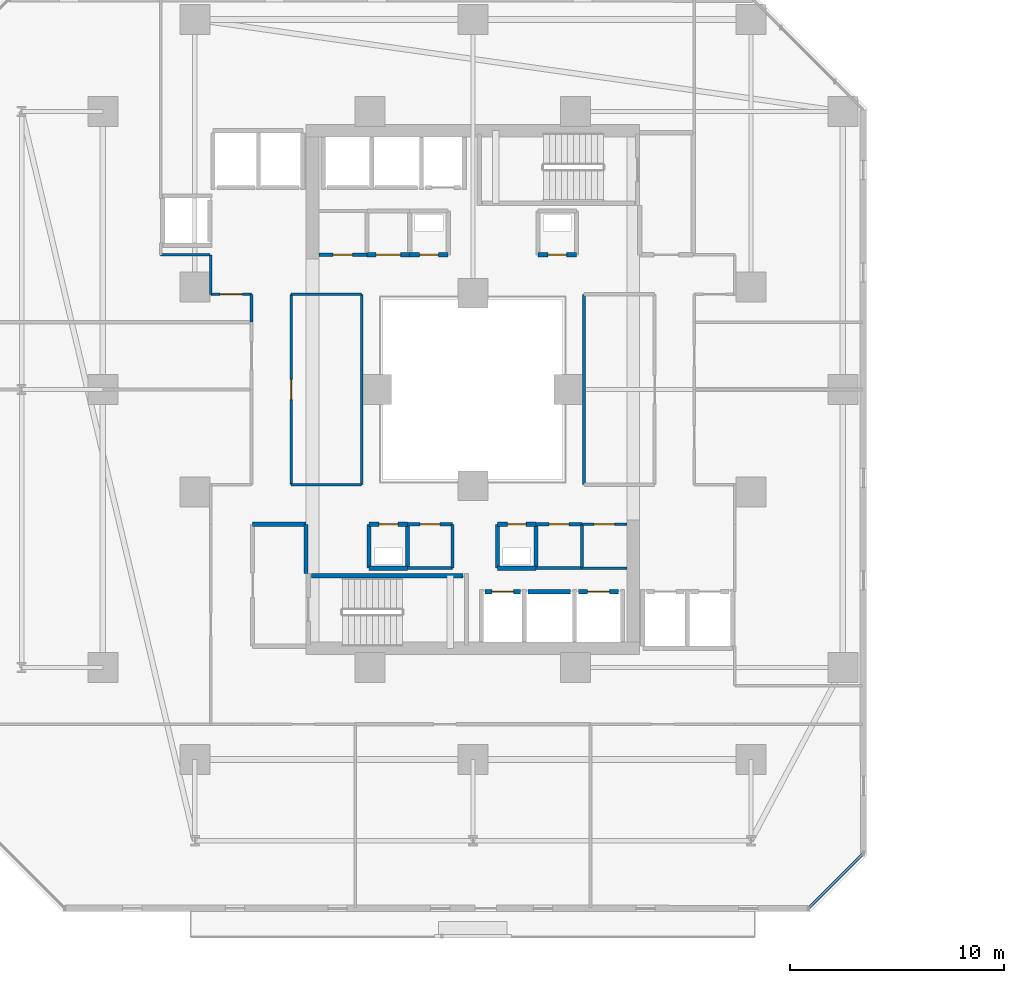
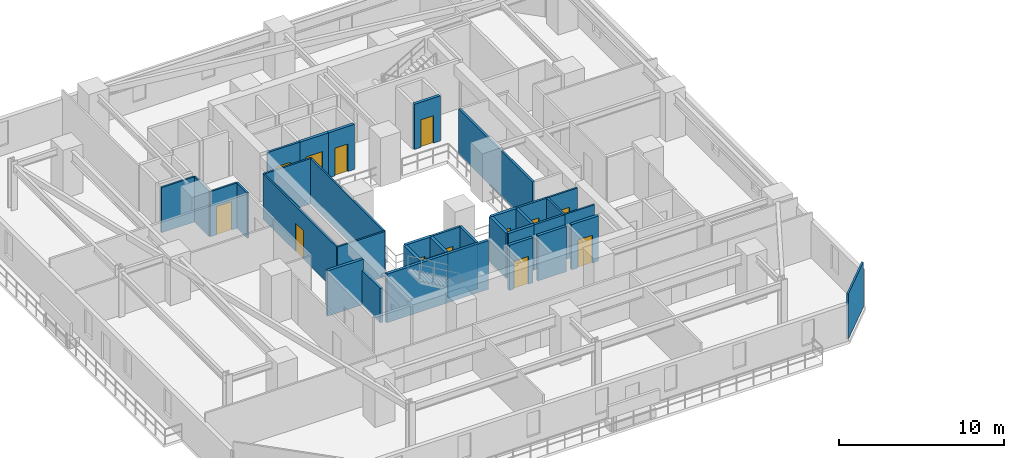
# One storey, part 19 of 33: 36 walls, 13 doors, 13 openings.
"""IFC4 building model written with IfcOpenShell, lengths in metres."""

from ifc_helpers import new_model, si_unit, direction, frame, frame_2d, origin, place, context, subcontext, project, spatial, rectangle, extrude, material, layer, layer_set, type_object, element, fill, save


model = new_model("IFC4")

# Units and contexts
model_context = context("Model", 3, precision=1e-05, world=origin(), true_north=direction((0.0, 1.0)))
body_context = subcontext(model_context, "Body", "Model", "MODEL_VIEW")
ifc_project = project(units=[si_unit("LENGTHUNIT", "METRE"), si_unit("AREAUNIT", "SQUARE_METRE"), si_unit("VOLUMEUNIT", "CUBIC_METRE"), si_unit("PLANEANGLEUNIT", "RADIAN"), si_unit("MASSUNIT", "GRAM", prefix="KILO")], contexts=[model_context])

# Site, building, storey
site_placement = place(None, origin())
site = spatial("IfcSite", under=ifc_project, at=site_placement, CompositionType="ELEMENT")
building_placement = place(site_placement, origin())
building = spatial("IfcBuilding", under=site, at=building_placement, Name="Thornwick Lancets Civic Towers", CompositionType="ELEMENT")
storey_placement = place(building_placement, frame((0.0, 0.0, 38.699951171875)))
storey = spatial("IfcBuildingStorey", under=building, at=storey_placement, Name="L09", CompositionType="ELEMENT", Elevation=38.699951171875)

# Wall, opening, door
ifc_material_1 = material(Name="Concrete blockwork C40/50", Category="masonry")
ifc_layer_1 = layer(ifc_material_1, 0.199951171875, Name="Concrete blockwork C40/50")
ifc_layer_set_1 = layer_set([ifc_layer_1], Name="Concrete blockwork C40/50")
wall_type_1 = type_object("IfcWallType", Name="WALL_COMP_200", PredefinedType="STANDARD", material=ifc_layer_set_1)
wall_1_placement = place(storey_placement, frame((26.080078125, 17.550048828125, 0.0), z_axis=(0.0, 0.0, 1.0), x_axis=(1.0, 0.0, 0.0)))
wall_1 = element("IfcWall", 1, at=wall_1_placement, inside=storey, type_object=wall_type_1, Name="L09 Hoistway Front Wall FL-A1", PredefinedType="STANDARD", context=body_context, shape_type="SweptSolid", body=[
    extrude(rectangle(XDim=1.639892578125, YDim=0.199951171875, at=frame_2d((0.81982421875, 0.0))), origin(), (0.0, 0.0, 1.0), 3.340087890625),
])
opening_1_placement = place(wall_1_placement, frame((0.31005859375, 0.0, 0.0)))
opening_1 = element("IfcOpeningElement", 2, at=opening_1_placement, cuts=wall_1, Name="Opening LD-FL-A1", PredefinedType="OPENING", context=body_context, shape_type="SweptSolid", body=[
    extrude(rectangle(XDim=1.02001953125, YDim=2.06005859375, at=frame_2d((0.510009765625, 1.030029296875))), frame((0.0, 0.10986328125, 0.0), z_axis=(0.0, -1.0, 0.0), x_axis=(1.0, 0.0, 0.0)), (0.0, 0.0, 1.0), 0.219970703125),
])
ifc_material_2 = material(Name="Brushed bronze stainless steel", Category="steel")
door_type_1 = type_object("IfcDoorType", Name="DOOR_LIFT_SLIDE", OperationType="SLIDING_TO_LEFT", PredefinedType="DOOR", material=ifc_material_2)
door_1_placement = place(opening_1_placement, origin())
door_1 = element("IfcDoor", 3, at=door_1_placement, inside=storey, type_object=door_type_1, Name="L09 Sliding Lift Landing Door LD-FL-A1", OperationType="SLIDING_TO_LEFT", OverallHeight=2.06005859375, OverallWidth=1.02001953125, PredefinedType="DOOR", context=body_context, shape_type="SweptSolid", body=[
    extrude(rectangle(XDim=1.02001953125, YDim=2.06005859375, at=frame_2d((0.510009765625, 1.030029296875))), frame((0.0, 0.02490234375, 0.0), z_axis=(0.0, -1.0, 0.0), x_axis=(1.0, 0.0, 0.0)), (0.0, 0.0, 1.0), 0.050048828125),
])
fill(opening_1, door_1)

# Wall
wall_2_placement = place(storey_placement, frame((28.080078125, 17.550048828125, 0.0), z_axis=(0.0, 0.0, 1.0), x_axis=(1.0, 0.0, 0.0)))
element("IfcWall", 4, at=wall_2_placement, inside=storey, type_object=wall_type_1, Name="L09 Hoistway Front Wall PL-AH1", PredefinedType="STANDARD", context=body_context, shape_type="SweptSolid", body=[
    extrude(rectangle(XDim=1.989990234375, YDim=0.199951171875, at=frame_2d((0.9951171875, 0.0))), origin(), (0.0, 0.0, 1.0), 3.340087890625),
])

# Wall, opening, door
wall_3_placement = place(storey_placement, frame((30.429931640625, 17.550048828125, 0.0), z_axis=(0.0, 0.0, 1.0), x_axis=(1.0, 0.0, 0.0)))
wall_3 = element("IfcWall", 5, at=wall_3_placement, inside=storey, type_object=wall_type_1, Name="L09 Hoistway Front Wall PL-AL1", PredefinedType="STANDARD", context=body_context, shape_type="SweptSolid", body=[
    extrude(rectangle(XDim=1.89013671875, YDim=0.199951171875, at=frame_2d((0.945068359375, 0.0))), origin(), (0.0, 0.0, 1.0), 3.340087890625),
])
opening_2_placement = place(wall_3_placement, frame((0.43505859375, 0.0, 0.0)))
opening_2 = element("IfcOpeningElement", 6, at=opening_2_placement, cuts=wall_3, Name="Opening LD-PL-AL1", PredefinedType="OPENING", context=body_context, shape_type="SweptSolid", body=[
    extrude(rectangle(XDim=1.02001953125, YDim=2.06005859375, at=frame_2d((0.510009765625, 1.030029296875))), frame((0.0, 0.10986328125, 0.0), z_axis=(0.0, -1.0, 0.0), x_axis=(1.0, 0.0, 0.0)), (0.0, 0.0, 1.0), 0.219970703125),
])
door_2_placement = place(opening_2_placement, origin())
door_2 = element("IfcDoor", 7, at=door_2_placement, inside=storey, type_object=door_type_1, Name="L09 Sliding Lift Landing Door LD-PL-AL1", OperationType="SLIDING_TO_LEFT", OverallHeight=2.06005859375, OverallWidth=1.02001953125, PredefinedType="DOOR", context=body_context, shape_type="SweptSolid", body=[
    extrude(rectangle(XDim=1.02001953125, YDim=2.06005859375, at=frame_2d((0.510009765625, 1.030029296875))), frame((0.0, 0.02490234375, 0.0), z_axis=(0.0, -1.0, 0.0), x_axis=(1.0, 0.0, 0.0)), (0.0, 0.0, 1.0), 0.050048828125),
])
fill(opening_2, door_2)

# Walls
wall_4_placement = place(storey_placement, frame((17.699951171875, 18.39990234375, 0.0), z_axis=(0.0, 0.0, 1.0), x_axis=(0.0, 1.0, 0.0)))
element("IfcWall", 8, at=wall_4_placement, inside=storey, type_object=wall_type_1, Name="L09 Partition L09-A-FFLOB1 E2", PredefinedType="STANDARD", context=body_context, shape_type="SweptSolid", body=[
    extrude(rectangle(XDim=2.300048828125, YDim=0.199951171875, at=frame_2d((1.14990234375, 0.0))), origin(), (0.0, 0.0, 1.0), 2.545166015625),
])
wall_5_placement = place(storey_placement, frame((17.699951171875, 20.699951171875, 0.0), z_axis=(0.0, 0.0, 1.0), x_axis=(-1.0, 0.0, 0.0)))
element("IfcWall", 9, at=wall_5_placement, inside=storey, type_object=wall_type_1, Name="L09 Partition L09-A-FFLOB1 E3", PredefinedType="STANDARD", context=body_context, shape_type="SweptSolid", body=[
    extrude(rectangle(XDim=2.5, YDim=0.199951171875, at=frame_2d((1.25, 0.0))), origin(), (0.0, 0.0, 1.0), 3.340087890625),
])
wall_6_placement = place(storey_placement, frame((26.64990234375, 18.64990234375, 0.0), z_axis=(0.0, 0.0, 1.0), x_axis=(1.0, 0.0, 0.0)))
element("IfcWall", 10, at=wall_6_placement, inside=storey, type_object=wall_type_1, Name="L09 Partition L09-A-DUCT1 E1", PredefinedType="STANDARD", context=body_context, shape_type="SweptSolid", body=[
    extrude(rectangle(XDim=1.800048828125, YDim=0.199951171875, at=frame_2d((0.89990234375, 0.0))), origin(), (0.0, 0.0, 1.0), 3.340087890625),
])
wall_7_placement = place(storey_placement, frame((28.449951171875, 18.64990234375, 0.0), z_axis=(0.0, 0.0, 1.0), x_axis=(0.0, 1.0, 0.0)))
element("IfcWall", 11, at=wall_7_placement, inside=storey, type_object=wall_type_1, Name="L09 Partition L09-A-DUCT1 E2", PredefinedType="STANDARD", context=body_context, shape_type="SweptSolid", body=[
    extrude(rectangle(XDim=2.050048828125, YDim=0.199951171875, at=frame_2d((1.02490234375, 0.0))), origin(), (0.0, 0.0, 1.0), 3.340087890625),
])

# Wall, opening, door
wall_8_placement = place(storey_placement, frame((28.449951171875, 20.699951171875, 0.0), z_axis=(0.0, 0.0, 1.0), x_axis=(-1.0, 0.0, 0.0)))
wall_8 = element("IfcWall", 12, at=wall_8_placement, inside=storey, type_object=wall_type_1, Name="L09 Partition L09-A-DUCT1 E3", PredefinedType="STANDARD", context=body_context, shape_type="SweptSolid", body=[
    extrude(rectangle(XDim=1.800048828125, YDim=0.199951171875, at=frame_2d((0.89990234375, 0.0))), origin(), (0.0, 0.0, 1.0), 3.340087890625),
])
opening_3_placement = place(wall_8_placement, frame((0.4599609375, 0.0, 0.0)))
opening_3 = element("IfcOpeningElement", 13, at=opening_3_placement, cuts=wall_8, Name="Opening D-L09-0441", PredefinedType="OPENING", context=body_context, shape_type="SweptSolid", body=[
    extrude(rectangle(XDim=0.8798828125, YDim=2.0400390625, at=frame_2d((0.43994140625, 1.02001953125))), frame((0.0, 0.10986328125, 0.0), z_axis=(0.0, -1.0, 0.0), x_axis=(1.0, 0.0, 0.0)), (0.0, 0.0, 1.0), 0.219970703125),
])
ifc_material_3 = material(Name="Steel riser access doorset", Category="steel")
door_type_2 = type_object("IfcDoorType", Name="DOOR_RISER_850", OperationType="NOTDEFINED", PredefinedType="DOOR", material=ifc_material_3)
door_3_placement = place(opening_3_placement, origin())
door_3 = element("IfcDoor", 14, at=door_3_placement, inside=storey, type_object=door_type_2, Name="L09 South Service Duct 1 Door", OperationType="SINGLE_SWING_RIGHT", OverallHeight=2.0400390625, OverallWidth=0.8798828125, PredefinedType="DOOR", context=body_context, shape_type="SweptSolid", body=[
    extrude(rectangle(XDim=0.8798828125, YDim=2.0400390625, at=frame_2d((0.43994140625, 1.02001953125))), frame((0.0, 0.02490234375, 0.0), z_axis=(0.0, -1.0, 0.0), x_axis=(1.0, 0.0, 0.0)), (0.0, 0.0, 1.0), 0.050048828125),
])
fill(opening_3, door_3)

# Walls
wall_9_placement = place(storey_placement, frame((26.64990234375, 20.699951171875, 0.0), z_axis=(0.0, 0.0, 1.0), x_axis=(0.0, -1.0, 0.0)))
element("IfcWall", 15, at=wall_9_placement, inside=storey, type_object=wall_type_1, Name="L09 Partition L09-A-DUCT1 E4", PredefinedType="STANDARD", context=body_context, shape_type="SweptSolid", body=[
    extrude(rectangle(XDim=2.050048828125, YDim=0.199951171875, at=frame_2d((1.02490234375, 0.0))), origin(), (0.0, 0.0, 1.0), 3.340087890625),
])
wall_10_placement = place(storey_placement, frame((20.64990234375, 18.64990234375, 0.0), z_axis=(0.0, 0.0, 1.0), x_axis=(1.0, 0.0, 0.0)))
element("IfcWall", 16, at=wall_10_placement, inside=storey, type_object=wall_type_1, Name="L09 Partition L09-A-RISER1 E1", PredefinedType="STANDARD", context=body_context, shape_type="SweptSolid", body=[
    extrude(rectangle(XDim=1.800048828125, YDim=0.199951171875, at=frame_2d((0.89990234375, 0.0))), origin(), (0.0, 0.0, 1.0), 3.340087890625),
])
wall_11_placement = place(storey_placement, frame((22.449951171875, 18.64990234375, 0.0), z_axis=(0.0, 0.0, 1.0), x_axis=(0.0, 1.0, 0.0)))
element("IfcWall", 17, at=wall_11_placement, inside=storey, type_object=wall_type_1, Name="L09 Partition L09-A-RISER1 E2", PredefinedType="STANDARD", context=body_context, shape_type="SweptSolid", body=[
    extrude(rectangle(XDim=2.050048828125, YDim=0.199951171875, at=frame_2d((1.02490234375, 0.0))), origin(), (0.0, 0.0, 1.0), 3.340087890625),
])

# Wall, opening, door
wall_12_placement = place(storey_placement, frame((22.449951171875, 20.699951171875, 0.0), z_axis=(0.0, 0.0, 1.0), x_axis=(-1.0, 0.0, 0.0)))
wall_12 = element("IfcWall", 18, at=wall_12_placement, inside=storey, type_object=wall_type_1, Name="L09 Partition L09-A-RISER1 E3", PredefinedType="STANDARD", context=body_context, shape_type="SweptSolid", body=[
    extrude(rectangle(XDim=1.800048828125, YDim=0.199951171875, at=frame_2d((0.89990234375, 0.0))), origin(), (0.0, 0.0, 1.0), 3.340087890625),
])
opening_4_placement = place(wall_12_placement, frame((0.4599609375, 0.0, 0.0)))
opening_4 = element("IfcOpeningElement", 19, at=opening_4_placement, cuts=wall_12, Name="Opening D-L09-0442", PredefinedType="OPENING", context=body_context, shape_type="SweptSolid", body=[
    extrude(rectangle(XDim=0.8798828125, YDim=2.0400390625, at=frame_2d((0.43994140625, 1.02001953125))), frame((0.0, 0.10986328125, 0.0), z_axis=(0.0, -1.0, 0.0), x_axis=(1.0, 0.0, 0.0)), (0.0, 0.0, 1.0), 0.219970703125),
])
door_4_placement = place(opening_4_placement, origin())
door_4 = element("IfcDoor", 20, at=door_4_placement, inside=storey, type_object=door_type_2, Name="L09 South Electrical Riser 1 Door", OperationType="SINGLE_SWING_LEFT", OverallHeight=2.0400390625, OverallWidth=0.8798828125, PredefinedType="DOOR", context=body_context, shape_type="SweptSolid", body=[
    extrude(rectangle(XDim=0.8798828125, YDim=2.0400390625, at=frame_2d((0.43994140625, 1.02001953125))), frame((0.0, 0.02490234375, 0.0), z_axis=(0.0, -1.0, 0.0), x_axis=(1.0, 0.0, 0.0)), (0.0, 0.0, 1.0), 0.050048828125),
])
fill(opening_4, door_4)

# Wall
wall_13_placement = place(storey_placement, frame((20.64990234375, 20.699951171875, 0.0), z_axis=(0.0, 0.0, 1.0), x_axis=(0.0, -1.0, 0.0)))
element("IfcWall", 21, at=wall_13_placement, inside=storey, type_object=wall_type_1, Name="L09 Partition L09-A-RISER1 E4", PredefinedType="STANDARD", context=body_context, shape_type="SweptSolid", body=[
    extrude(rectangle(XDim=2.050048828125, YDim=0.199951171875, at=frame_2d((1.02490234375, 0.0))), origin(), (0.0, 0.0, 1.0), 3.340087890625),
])

# Wall, opening, door
wall_14_placement = place(storey_placement, frame((22.550048828125, 33.300048828125, 0.0), z_axis=(0.0, 0.0, 1.0), x_axis=(1.0, 0.0, 0.0)))
wall_14 = element("IfcWall", 22, at=wall_14_placement, inside=storey, type_object=wall_type_1, Name="L09 Partition L09-A-DUCT2 E1", PredefinedType="STANDARD", context=body_context, shape_type="SweptSolid", body=[
    extrude(rectangle(XDim=1.800048828125, YDim=0.199951171875, at=frame_2d((0.89990234375, 0.0))), origin(), (0.0, 0.0, 1.0), 3.340087890625),
])
opening_5_placement = place(wall_14_placement, frame((0.4599609375, 0.0, 0.0)))
opening_5 = element("IfcOpeningElement", 23, at=opening_5_placement, cuts=wall_14, Name="Opening D-L09-0443", PredefinedType="OPENING", context=body_context, shape_type="SweptSolid", body=[
    extrude(rectangle(XDim=0.8798828125, YDim=2.0400390625, at=frame_2d((0.43994140625, 1.02001953125))), frame((0.0, 0.10986328125, 0.0), z_axis=(0.0, -1.0, 0.0), x_axis=(1.0, 0.0, 0.0)), (0.0, 0.0, 1.0), 0.219970703125),
])
door_5_placement = place(opening_5_placement, origin())
door_5 = element("IfcDoor", 24, at=door_5_placement, inside=storey, type_object=door_type_2, Name="L09 North Service Duct 2 Door", OperationType="SINGLE_SWING_RIGHT", OverallHeight=2.0400390625, OverallWidth=0.8798828125, PredefinedType="DOOR", context=body_context, shape_type="SweptSolid", body=[
    extrude(rectangle(XDim=0.8798828125, YDim=2.0400390625, at=frame_2d((0.43994140625, 1.02001953125))), frame((0.0, 0.02490234375, 0.0), z_axis=(0.0, -1.0, 0.0), x_axis=(1.0, 0.0, 0.0)), (0.0, 0.0, 1.0), 0.050048828125),
])
fill(opening_5, door_5)

wall_15_placement = place(storey_placement, frame((28.550048828125, 33.300048828125, 0.0), z_axis=(0.0, 0.0, 1.0), x_axis=(1.0, 0.0, 0.0)))
wall_15 = element("IfcWall", 25, at=wall_15_placement, inside=storey, type_object=wall_type_1, Name="L09 Partition L09-A-RISER2 E1", PredefinedType="STANDARD", context=body_context, shape_type="SweptSolid", body=[
    extrude(rectangle(XDim=1.800048828125, YDim=0.199951171875, at=frame_2d((0.89990234375, 0.0))), origin(), (0.0, 0.0, 1.0), 3.340087890625),
])
opening_6_placement = place(wall_15_placement, frame((0.4599609375, 0.0, 0.0)))
opening_6 = element("IfcOpeningElement", 26, at=opening_6_placement, cuts=wall_15, Name="Opening D-L09-0444", PredefinedType="OPENING", context=body_context, shape_type="SweptSolid", body=[
    extrude(rectangle(XDim=0.8798828125, YDim=2.0400390625, at=frame_2d((0.43994140625, 1.02001953125))), frame((0.0, 0.10986328125, 0.0), z_axis=(0.0, -1.0, 0.0), x_axis=(1.0, 0.0, 0.0)), (0.0, 0.0, 1.0), 0.219970703125),
])
door_6_placement = place(opening_6_placement, origin())
door_6 = element("IfcDoor", 27, at=door_6_placement, inside=storey, type_object=door_type_2, Name="L09 North Service Riser 2 Door", OperationType="SINGLE_SWING_LEFT", OverallHeight=2.0400390625, OverallWidth=0.8798828125, PredefinedType="DOOR", context=body_context, shape_type="SweptSolid", body=[
    extrude(rectangle(XDim=0.8798828125, YDim=2.0400390625, at=frame_2d((0.43994140625, 1.02001953125))), frame((0.0, 0.02490234375, 0.0), z_axis=(0.0, -1.0, 0.0), x_axis=(1.0, 0.0, 0.0)), (0.0, 0.0, 1.0), 0.050048828125),
])
fill(opening_6, door_6)

wall_16_placement = place(storey_placement, frame((22.550048828125, 33.300048828125, 0.0), z_axis=(0.0, 0.0, 1.0), x_axis=(-1.0, 0.0, 0.0)))
wall_16 = element("IfcWall", 28, at=wall_16_placement, inside=storey, type_object=wall_type_1, Name="L09 Partition L09-A-STR E4", PredefinedType="STANDARD", context=body_context, shape_type="SweptSolid", body=[
    extrude(rectangle(XDim=2.0, YDim=0.199951171875, at=frame_2d((1.0, 0.0))), origin(), (0.0, 0.0, 1.0), 3.340087890625),
])
opening_7_placement = place(wall_16_placement, frame((0.425048828125, 0.0, 0.0)))
opening_7 = element("IfcOpeningElement", 29, at=opening_7_placement, cuts=wall_16, Name="Opening D-L09-0449", PredefinedType="OPENING", context=body_context, shape_type="SweptSolid", body=[
    extrude(rectangle(XDim=1.14990234375, YDim=2.10009765625, at=frame_2d((0.574951171875, 1.050048828125))), frame((0.0, 0.10986328125, 0.0), z_axis=(0.0, -1.0, 0.0), x_axis=(1.0, 0.0, 0.0)), (0.0, 0.0, 1.0), 0.219970703125),
])
ifc_material_4 = material(Name="Glazed fire-resisting steel", Category="steel")
door_type_3 = type_object("IfcDoorType", Name="DOOR_LOBBY_FD60", OperationType="NOTDEFINED", PredefinedType="DOOR", material=ifc_material_4)
door_7_placement = place(opening_7_placement, origin())
door_7 = element("IfcDoor", 30, at=door_7_placement, inside=storey, type_object=door_type_3, Name="L09 Tower A Core Records Store Door", OperationType="SINGLE_SWING_RIGHT", OverallHeight=2.10009765625, OverallWidth=1.14990234375, PredefinedType="DOOR", context=body_context, shape_type="SweptSolid", body=[
    extrude(rectangle(XDim=1.14990234375, YDim=2.10009765625, at=frame_2d((0.574951171875, 1.050048828125))), frame((0.0, 0.02490234375, 0.0), z_axis=(0.0, -1.0, 0.0), x_axis=(1.0, 0.0, 0.0)), (0.0, 0.0, 1.0), 0.050048828125),
])
fill(opening_7, door_7)

# Wall
ifc_material_5 = material(Name="Acoustic gypsum board partition")
ifc_layer_2 = layer(ifc_material_5, 0.1201171875, Name="Acoustic gypsum board partition")
ifc_layer_set_2 = layer_set([ifc_layer_2], Name="Acoustic gypsum board partition")
wall_type_2 = type_object("IfcWallType", Name="WALL_PART_120", PredefinedType="PARTITIONING", material=ifc_layer_set_2)
wall_17_placement = place(storey_placement, frame((32.699951171875, 18.64990234375, 0.0), z_axis=(0.0, 0.0, 1.0), x_axis=(-1.0, 0.0, 0.0)))
element("IfcWall", 31, at=wall_17_placement, inside=storey, type_object=wall_type_2, Name="L09 Partition L09-A-ITR E2", PredefinedType="PARTITIONING", context=body_context, shape_type="SweptSolid", body=[
    extrude(rectangle(XDim=2.099853515625, YDim=0.1201171875, at=frame_2d((1.0498046875, 0.0))), origin(), (0.0, 0.0, 1.0), 3.340087890625),
])

# Wall, opening, door
wall_18_placement = place(storey_placement, frame((30.60009765625, 20.699951171875, 0.0), z_axis=(0.0, 0.0, 1.0), x_axis=(1.0, 0.0, 0.0)))
wall_18 = element("IfcWall", 32, at=wall_18_placement, inside=storey, type_object=wall_type_2, Name="L09 Partition L09-A-ITR E4", PredefinedType="PARTITIONING", context=body_context, shape_type="SweptSolid", body=[
    extrude(rectangle(XDim=2.099853515625, YDim=0.1201171875, at=frame_2d((1.0498046875, 0.0))), origin(), (0.0, 0.0, 1.0), 3.340087890625),
])
opening_8_placement = place(wall_18_placement, frame((0.574951171875, 0.0, 0.0)))
opening_8 = element("IfcOpeningElement", 33, at=opening_8_placement, cuts=wall_18, Name="Opening D-L09-0447", PredefinedType="OPENING", context=body_context, shape_type="SweptSolid", body=[
    extrude(rectangle(XDim=0.949951171875, YDim=2.10009765625, at=frame_2d((0.47509765625, 1.050048828125))), frame((0.0, 0.070068359375, 0.0), z_axis=(0.0, -1.0, 0.0), x_axis=(1.0, 0.0, 0.0)), (0.0, 0.0, 1.0), 0.14013671875),
])
ifc_material_6 = material(Name="European oak acoustic doorset")
door_type_4 = type_object("IfcDoorType", Name="DOOR_OFFICE_950", OperationType="NOTDEFINED", PredefinedType="DOOR", material=ifc_material_6)
door_8_placement = place(opening_8_placement, origin())
door_8 = element("IfcDoor", 34, at=door_8_placement, inside=storey, type_object=door_type_4, Name="L09 Tower A Comms Patch Room Door", OperationType="SINGLE_SWING_RIGHT", OverallHeight=2.10009765625, OverallWidth=0.949951171875, PredefinedType="DOOR", context=body_context, shape_type="SweptSolid", body=[
    extrude(rectangle(XDim=0.949951171875, YDim=2.10009765625, at=frame_2d((0.47509765625, 1.050048828125))), frame((0.0, 0.02490234375, 0.0), z_axis=(0.0, -1.0, 0.0), x_axis=(1.0, 0.0, 0.0)), (0.0, 0.0, 1.0), 0.050048828125),
])
fill(opening_8, door_8)

# Wall
wall_19_placement = place(storey_placement, frame((13.25, 33.300048828125, 0.0), z_axis=(0.0, 0.0, 1.0), x_axis=(0.0, -1.0, 0.0)))
element("IfcWall", 35, at=wall_19_placement, inside=storey, type_object=wall_type_2, Name="L09 Partition L09-A-W3 E2", PredefinedType="PARTITIONING", context=body_context, shape_type="SweptSolid", body=[
    extrude(rectangle(XDim=1.85009765625, YDim=0.1201171875, at=frame_2d((0.925048828125, 0.0))), origin(), (0.0, 0.0, 1.0), 3.340087890625),
])

# Wall, opening, door
wall_20_placement = place(storey_placement, frame((13.25, 31.449951171875, 0.0), z_axis=(0.0, 0.0, 1.0), x_axis=(1.0, 0.0, 0.0)))
wall_20 = element("IfcWall", 36, at=wall_20_placement, inside=storey, type_object=wall_type_2, Name="L09 Partition L09-A-W3 E3", PredefinedType="PARTITIONING", context=body_context, shape_type="SweptSolid", body=[
    extrude(rectangle(XDim=1.89990234375, YDim=0.1201171875, at=frame_2d((0.949951171875, 0.0))), origin(), (0.0, 0.0, 1.0), 3.340087890625),
])
opening_9_placement = place(wall_20_placement, frame((0.425048828125, 0.0, 0.0)))
opening_9 = element("IfcOpeningElement", 37, at=opening_9_placement, cuts=wall_20, Name="Opening D-L09-0463", PredefinedType="OPENING", context=body_context, shape_type="SweptSolid", body=[
    extrude(rectangle(XDim=1.050048828125, YDim=2.10009765625, at=frame_2d((0.52490234375, 1.050048828125))), frame((0.0, 0.070068359375, 0.0), z_axis=(0.0, -1.0, 0.0), x_axis=(1.0, 0.0, 0.0)), (0.0, 0.0, 1.0), 0.14013671875),
])
ifc_material_7 = material(Name="Glazed European oak executive doorset")
door_type_5 = type_object("IfcDoorType", Name="DOOR_OFFICE_1050", OperationType="NOTDEFINED", PredefinedType="DOOR", material=ifc_material_7)
door_9_placement = place(opening_9_placement, origin())
door_9 = element("IfcDoor", 38, at=door_9_placement, inside=storey, type_object=door_type_5, Name="L09 Tower A Staff Tea Pantry and Lounge Door", OperationType="SINGLE_SWING_RIGHT", OverallHeight=2.10009765625, OverallWidth=1.050048828125, PredefinedType="DOOR", context=body_context, shape_type="SweptSolid", body=[
    extrude(rectangle(XDim=1.050048828125, YDim=2.10009765625, at=frame_2d((0.52490234375, 1.050048828125))), frame((0.0, 0.02490234375, 0.0), z_axis=(0.0, -1.0, 0.0), x_axis=(1.0, 0.0, 0.0)), (0.0, 0.0, 1.0), 0.050048828125),
])
fill(opening_9, door_9)

# Walls
wall_21_placement = place(storey_placement, frame((15.14990234375, 31.449951171875, 0.0), z_axis=(0.0, 0.0, 1.0), x_axis=(0.0, -1.0, 0.0)))
element("IfcWall", 39, at=wall_21_placement, inside=storey, type_object=wall_type_2, Name="L09 Partition L09-A-W3 E4", PredefinedType="PARTITIONING", context=body_context, shape_type="SweptSolid", body=[
    extrude(rectangle(XDim=1.300048828125, YDim=0.1201171875, at=frame_2d((0.64990234375, 0.0))), origin(), (0.0, 0.0, 1.0), 3.340087890625),
])
wall_22_placement = place(storey_placement, frame((10.89990234375, 33.300048828125, 0.0), z_axis=(0.0, 0.0, 1.0), x_axis=(1.0, 0.0, 0.0)))
element("IfcWall", 40, at=wall_22_placement, inside=storey, type_object=wall_type_2, Name="L09 Partition L09-A-W3 E10", PredefinedType="PARTITIONING", context=body_context, shape_type="SweptSolid", body=[
    extrude(rectangle(XDim=2.300048828125, YDim=0.1201171875, at=frame_2d((1.14990234375, 0.0))), origin(), (0.0, 0.0, 1.0), 3.340087890625),
])

# Wall, opening, door
wall_23_placement = place(storey_placement, frame((17.0, 22.550048828125, 0.0), z_axis=(0.0, 0.0, 1.0), x_axis=(0.0, 1.0, 0.0)))
wall_23 = element("IfcWall", 41, at=wall_23_placement, inside=storey, type_object=wall_type_2, Name="L09 Partition L09-A-ATR-W E1", PredefinedType="PARTITIONING", context=body_context, shape_type="SweptSolid", body=[
    extrude(rectangle(XDim=8.89990234375, YDim=0.1201171875, at=frame_2d((4.449951171875, 0.0))), origin(), (0.0, 0.0, 1.0), 3.340087890625),
])
opening_10_placement = place(wall_23_placement, frame((3.97509765625, 0.0, 0.0)))
opening_10 = element("IfcOpeningElement", 42, at=opening_10_placement, cuts=wall_23, Name="Opening D-L09-0468", PredefinedType="OPENING", context=body_context, shape_type="SweptSolid", body=[
    extrude(rectangle(XDim=0.949951171875, YDim=2.10009765625, at=frame_2d((0.47509765625, 1.050048828125))), frame((0.0, 0.070068359375, 0.0), z_axis=(0.0, -1.0, 0.0), x_axis=(1.0, 0.0, 0.0)), (0.0, 0.0, 1.0), 0.14013671875),
])
door_10_placement = place(opening_10_placement, origin())
door_10 = element("IfcDoor", 43, at=door_10_placement, inside=storey, type_object=door_type_4, Name="L09 Tower A West Atrium Study Lounge Door", OperationType="SINGLE_SWING_LEFT", OverallHeight=2.10009765625, OverallWidth=0.949951171875, PredefinedType="DOOR", context=body_context, shape_type="SweptSolid", body=[
    extrude(rectangle(XDim=0.949951171875, YDim=2.10009765625, at=frame_2d((0.47509765625, 1.050048828125))), frame((0.0, 0.02490234375, 0.0), z_axis=(0.0, -1.0, 0.0), x_axis=(1.0, 0.0, 0.0)), (0.0, 0.0, 1.0), 0.050048828125),
])
fill(opening_10, door_10)

# Walls
wall_24_placement = place(storey_placement, frame((17.0, 31.449951171875, 0.0), z_axis=(0.0, 0.0, 1.0), x_axis=(1.0, 0.0, 0.0)))
element("IfcWall", 44, at=wall_24_placement, inside=storey, type_object=wall_type_2, Name="L09 Partition L09-A-ATR-W E2", PredefinedType="PARTITIONING", context=body_context, shape_type="SweptSolid", body=[
    extrude(rectangle(XDim=3.300048828125, YDim=0.1201171875, at=frame_2d((1.64990234375, 0.0))), origin(), (0.0, 0.0, 1.0), 3.340087890625),
])
wall_25_placement = place(storey_placement, frame((20.300048828125, 31.449951171875, 0.0), z_axis=(0.0, 0.0, 1.0), x_axis=(0.0, -1.0, 0.0)))
element("IfcWall", 45, at=wall_25_placement, inside=storey, type_object=wall_type_2, Name="L09 Partition L09-A-ATR-W E3", PredefinedType="PARTITIONING", context=body_context, shape_type="SweptSolid", body=[
    extrude(rectangle(XDim=8.89990234375, YDim=0.1201171875, at=frame_2d((4.449951171875, 0.0))), origin(), (0.0, 0.0, 1.0), 3.340087890625),
])
wall_26_placement = place(storey_placement, frame((20.300048828125, 22.550048828125, 0.0), z_axis=(0.0, 0.0, 1.0), x_axis=(-1.0, 0.0, 0.0)))
element("IfcWall", 46, at=wall_26_placement, inside=storey, type_object=wall_type_2, Name="L09 Partition L09-A-ATR-W E4", PredefinedType="PARTITIONING", context=body_context, shape_type="SweptSolid", body=[
    extrude(rectangle(XDim=3.300048828125, YDim=0.1201171875, at=frame_2d((1.64990234375, 0.0))), origin(), (0.0, 0.0, 1.0), 3.340087890625),
])
wall_27_placement = place(storey_placement, frame((43.719970703125, 5.274658203125, 0.0), z_axis=(0.0, 0.0, 1.0), x_axis=(-0.707106781187, -0.707106781187, 0.0)))
element("IfcWall", 47, at=wall_27_placement, inside=storey, type_object=wall_type_2, Name="L09 Partition L09-A-S-OFF2 E6", PredefinedType="PARTITIONING", context=body_context, shape_type="SweptSolid", body=[
    extrude(rectangle(XDim=3.52783203125, YDim=0.1201171875, at=frame_2d((1.763916015625, 0.0))), origin(), (0.0, 0.0, 1.0), 3.340087890625),
])
ifc_material_8 = material(Name="Twin-stud acoustic gypsum board")
ifc_layer_3 = layer(ifc_material_8, 0.14990234375, Name="Twin-stud acoustic gypsum board")
ifc_layer_set_3 = layer_set([ifc_layer_3], Name="Twin-stud acoustic gypsum board")
wall_type_3 = type_object("IfcWallType", Name="WALL_PART_150", PredefinedType="PARTITIONING", material=ifc_layer_set_3)
wall_28_placement = place(storey_placement, frame((24.550048828125, 20.699951171875, 0.0), z_axis=(0.0, 0.0, 1.0), x_axis=(0.0, -1.0, 0.0)))
element("IfcWall", 48, at=wall_28_placement, inside=storey, type_object=wall_type_3, Name="L09 Partition L09-A-MWC E1", PredefinedType="PARTITIONING", context=body_context, shape_type="SweptSolid", body=[
    extrude(rectangle(XDim=2.050048828125, YDim=0.14990234375, at=frame_2d((1.02490234375, 0.0))), origin(), (0.0, 0.0, 1.0), 3.340087890625),
])
wall_29_placement = place(storey_placement, frame((24.550048828125, 18.64990234375, 0.0), z_axis=(0.0, 0.0, 1.0), x_axis=(-1.0, 0.0, 0.0)))
element("IfcWall", 49, at=wall_29_placement, inside=storey, type_object=wall_type_3, Name="L09 Partition L09-A-MWC E2", PredefinedType="PARTITIONING", context=body_context, shape_type="SweptSolid", body=[
    extrude(rectangle(XDim=2.10009765625, YDim=0.14990234375, at=frame_2d((1.050048828125, 0.0))), origin(), (0.0, 0.0, 1.0), 3.340087890625),
])

# Wall, opening, door
wall_30_placement = place(storey_placement, frame((22.449951171875, 20.699951171875, 0.0), z_axis=(0.0, 0.0, 1.0), x_axis=(1.0, 0.0, 0.0)))
wall_30 = element("IfcWall", 50, at=wall_30_placement, inside=storey, type_object=wall_type_3, Name="L09 Partition L09-A-MWC E4", PredefinedType="PARTITIONING", context=body_context, shape_type="SweptSolid", body=[
    extrude(rectangle(XDim=2.10009765625, YDim=0.14990234375, at=frame_2d((1.050048828125, 0.0))), origin(), (0.0, 0.0, 1.0), 3.340087890625),
])
opening_11_placement = place(wall_30_placement, frame((0.590087890625, 0.0, 0.0)))
opening_11 = element("IfcOpeningElement", 51, at=opening_11_placement, cuts=wall_30, Name="Opening D-L09-0445", PredefinedType="OPENING", context=body_context, shape_type="SweptSolid", body=[
    extrude(rectangle(XDim=0.919921875, YDim=2.080078125, at=frame_2d((0.4599609375, 1.0400390625))), frame((0.0, 0.0849609375, 0.0), z_axis=(0.0, -1.0, 0.0), x_axis=(1.0, 0.0, 0.0)), (0.0, 0.0, 1.0), 0.169921875),
])
ifc_material_9 = material(Name="Moisture-resistant oak doorset")
door_type_6 = type_object("IfcDoorType", Name="DOOR_WC_900", OperationType="NOTDEFINED", PredefinedType="DOOR", material=ifc_material_9)
door_11_placement = place(opening_11_placement, origin())
door_11 = element("IfcDoor", 52, at=door_11_placement, inside=storey, type_object=door_type_6, Name="L09 Tower A Male WC Door", OperationType="SINGLE_SWING_RIGHT", OverallHeight=2.080078125, OverallWidth=0.919921875, PredefinedType="DOOR", context=body_context, shape_type="SweptSolid", body=[
    extrude(rectangle(XDim=0.919921875, YDim=2.080078125, at=frame_2d((0.4599609375, 1.0400390625))), frame((0.0, 0.02490234375, 0.0), z_axis=(0.0, -1.0, 0.0), x_axis=(1.0, 0.0, 0.0)), (0.0, 0.0, 1.0), 0.050048828125),
])
fill(opening_11, door_11)

# Walls
wall_31_placement = place(storey_placement, frame((30.60009765625, 20.699951171875, 0.0), z_axis=(0.0, 0.0, 1.0), x_axis=(0.0, -1.0, 0.0)))
element("IfcWall", 53, at=wall_31_placement, inside=storey, type_object=wall_type_3, Name="L09 Partition L09-A-FWC E1", PredefinedType="PARTITIONING", context=body_context, shape_type="SweptSolid", body=[
    extrude(rectangle(XDim=2.050048828125, YDim=0.14990234375, at=frame_2d((1.02490234375, 0.0))), origin(), (0.0, 0.0, 1.0), 3.340087890625),
])
wall_32_placement = place(storey_placement, frame((30.60009765625, 18.64990234375, 0.0), z_axis=(0.0, 0.0, 1.0), x_axis=(-1.0, 0.0, 0.0)))
element("IfcWall", 54, at=wall_32_placement, inside=storey, type_object=wall_type_3, Name="L09 Partition L09-A-FWC E2", PredefinedType="PARTITIONING", context=body_context, shape_type="SweptSolid", body=[
    extrude(rectangle(XDim=2.150146484375, YDim=0.14990234375, at=frame_2d((1.0751953125, 0.0))), origin(), (0.0, 0.0, 1.0), 3.340087890625),
])

# Wall, opening, door
wall_33_placement = place(storey_placement, frame((28.449951171875, 20.699951171875, 0.0), z_axis=(0.0, 0.0, 1.0), x_axis=(1.0, 0.0, 0.0)))
wall_33 = element("IfcWall", 55, at=wall_33_placement, inside=storey, type_object=wall_type_3, Name="L09 Partition L09-A-FWC E4", PredefinedType="PARTITIONING", context=body_context, shape_type="SweptSolid", body=[
    extrude(rectangle(XDim=2.150146484375, YDim=0.14990234375, at=frame_2d((1.0751953125, 0.0))), origin(), (0.0, 0.0, 1.0), 3.340087890625),
])
opening_12_placement = place(wall_33_placement, frame((0.614990234375, 0.0, 0.0)))
opening_12 = element("IfcOpeningElement", 56, at=opening_12_placement, cuts=wall_33, Name="Opening D-L09-0446", PredefinedType="OPENING", context=body_context, shape_type="SweptSolid", body=[
    extrude(rectangle(XDim=0.919921875, YDim=2.080078125, at=frame_2d((0.4599609375, 1.0400390625))), frame((0.0, 0.0849609375, 0.0), z_axis=(0.0, -1.0, 0.0), x_axis=(1.0, 0.0, 0.0)), (0.0, 0.0, 1.0), 0.169921875),
])
door_12_placement = place(opening_12_placement, origin())
door_12 = element("IfcDoor", 57, at=door_12_placement, inside=storey, type_object=door_type_6, Name="L09 Tower A Female WC Door", OperationType="SINGLE_SWING_LEFT", OverallHeight=2.080078125, OverallWidth=0.919921875, PredefinedType="DOOR", context=body_context, shape_type="SweptSolid", body=[
    extrude(rectangle(XDim=0.919921875, YDim=2.080078125, at=frame_2d((0.4599609375, 1.0400390625))), frame((0.0, 0.02490234375, 0.0), z_axis=(0.0, -1.0, 0.0), x_axis=(1.0, 0.0, 0.0)), (0.0, 0.0, 1.0), 0.050048828125),
])
fill(opening_12, door_12)

wall_34_placement = place(storey_placement, frame((18.300048828125, 33.300048828125, 0.0), z_axis=(0.0, 0.0, 1.0), x_axis=(1.0, 0.0, 0.0)))
wall_34 = element("IfcWall", 58, at=wall_34_placement, inside=storey, type_object=wall_type_3, Name="L09 Partition L09-A-AWC E1", PredefinedType="PARTITIONING", context=body_context, shape_type="SweptSolid", body=[
    extrude(rectangle(XDim=2.25, YDim=0.14990234375, at=frame_2d((1.125, 0.0))), origin(), (0.0, 0.0, 1.0), 3.340087890625),
])
opening_13_placement = place(wall_34_placement, frame((0.6650390625, 0.0, 0.0)))
opening_13 = element("IfcOpeningElement", 59, at=opening_13_placement, cuts=wall_34, Name="Opening D-L09-0448", PredefinedType="OPENING", context=body_context, shape_type="SweptSolid", body=[
    extrude(rectangle(XDim=0.919921875, YDim=2.080078125, at=frame_2d((0.4599609375, 1.0400390625))), frame((0.0, 0.0849609375, 0.0), z_axis=(0.0, -1.0, 0.0), x_axis=(1.0, 0.0, 0.0)), (0.0, 0.0, 1.0), 0.169921875),
])
door_13_placement = place(opening_13_placement, origin())
door_13 = element("IfcDoor", 60, at=door_13_placement, inside=storey, type_object=door_type_6, Name="L09 Tower A Accessible WC Door", OperationType="SINGLE_SWING_LEFT", OverallHeight=2.080078125, OverallWidth=0.919921875, PredefinedType="DOOR", context=body_context, shape_type="SweptSolid", body=[
    extrude(rectangle(XDim=0.919921875, YDim=2.080078125, at=frame_2d((0.4599609375, 1.0400390625))), frame((0.0, 0.02490234375, 0.0), z_axis=(0.0, -1.0, 0.0), x_axis=(1.0, 0.0, 0.0)), (0.0, 0.0, 1.0), 0.050048828125),
])
fill(opening_13, door_13)

# Walls
wall_35_placement = place(storey_placement, frame((30.699951171875, 22.550048828125, 0.0), z_axis=(0.0, 0.0, 1.0), x_axis=(0.0, 1.0, 0.0)))
element("IfcWall", 61, at=wall_35_placement, inside=storey, type_object=wall_type_3, Name="L09 Partition L09-A-ATR-E E1", PredefinedType="PARTITIONING", context=body_context, shape_type="SweptSolid", body=[
    extrude(rectangle(XDim=8.89990234375, YDim=0.14990234375, at=frame_2d((4.449951171875, 0.0))), origin(), (0.0, 0.0, 1.0), 3.340087890625),
])
ifc_material_10 = material(Name="Concrete C40/50", Category="concrete")
ifc_layer_4 = layer(ifc_material_10, 0.199951171875, Name="Concrete C40/50")
ifc_layer_set_4 = layer_set([ifc_layer_4], Name="Concrete C40/50")
wall_type_4 = type_object("IfcWallType", Name="WALL_SHAFT_200", PredefinedType="SHEAR", material=ifc_layer_set_4)
wall_36_placement = place(storey_placement, frame((25.050048828125, 18.297119140625, 0.0), z_axis=(0.0, 0.0, 1.0), x_axis=(-1.0, 0.0, 0.0)))
element("IfcWall", 62, at=wall_36_placement, inside=storey, type_object=wall_type_4, Name="L09 ST-A1 Fire Stair Core Wall RIGHT", PredefinedType="SHEAR", context=body_context, shape_type="SweptSolid", body=[
    extrude(rectangle(XDim=7.10009765625, YDim=0.199951171875, at=frame_2d((3.550048828125, 0.0))), origin(), (0.0, 0.0, 1.0), 3.60009765625),
])

save(model, "model.ifc")
